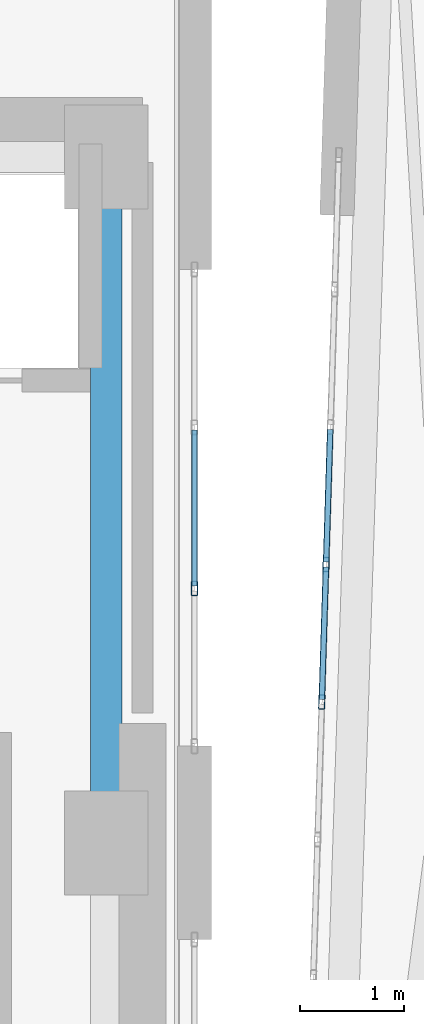
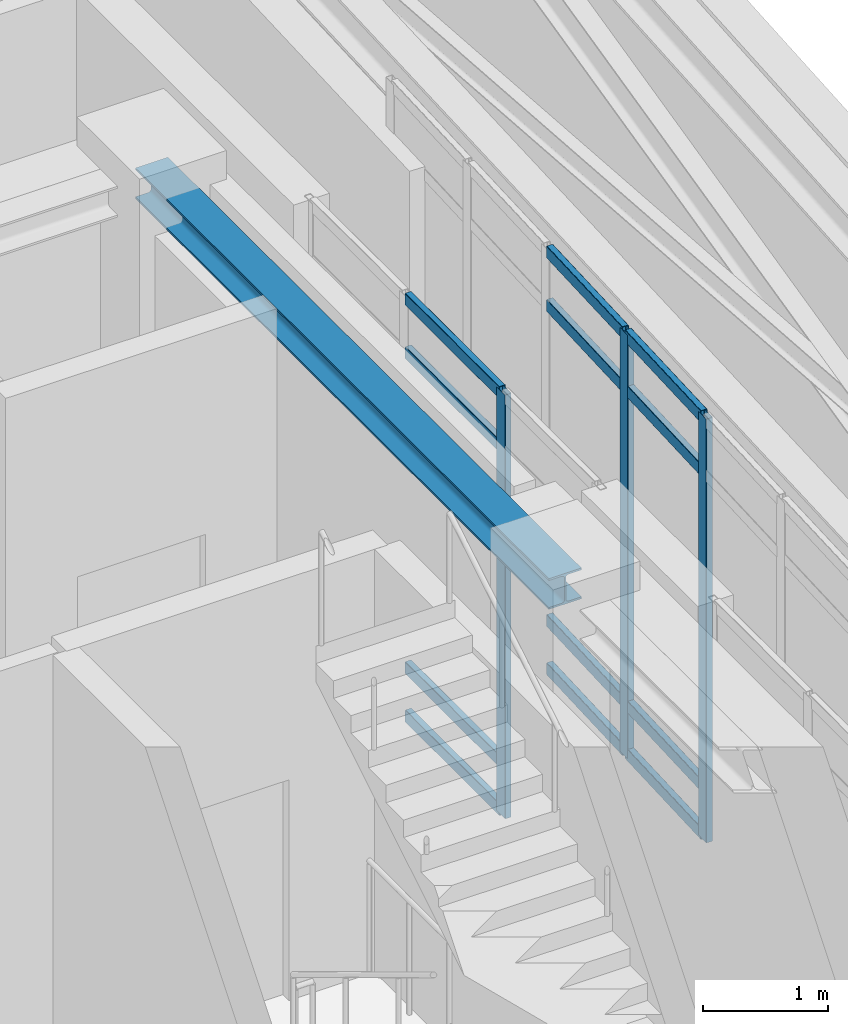
# One storey, part 9 of 19: 15 members, 1 beam, 2 elements without a shape of their own.
"""IFC4 building model written with IfcOpenShell, lengths in metres."""

from ifc_helpers import new_model, si_unit, direction, frame, origin, origin_2d, place, context, subcontext, project, spatial, hollow_rectangle, i_section, extrude, material, layer, layer_set, material_profile, profile_set, type_object, element, aggregate, save


model = new_model("IFC4")

# Units and contexts
model_context = context("Model", 3, precision=1e-05, world=origin(), true_north=direction((0.0, 1.0)))
body_context = subcontext(model_context, "Body", "Model", "MODEL_VIEW")
ifc_project = project(units=[si_unit("LENGTHUNIT", "METRE"), si_unit("AREAUNIT", "SQUARE_METRE"), si_unit("VOLUMEUNIT", "CUBIC_METRE"), si_unit("PLANEANGLEUNIT", "RADIAN"), si_unit("MASSUNIT", "GRAM", prefix="KILO")], contexts=[model_context])

# Site, building, storey
site_placement = place(None, origin())
site = spatial("IfcSite", under=ifc_project, at=site_placement, CompositionType="ELEMENT")
building_placement = place(site_placement, origin())
building = spatial("IfcBuilding", under=site, at=building_placement, Name="Ndelora Gate Hotel", CompositionType="ELEMENT")
storey_placement = place(building_placement, frame((0.0, 0.0, 299.199951171875)))
storey = spatial("IfcBuildingStorey", under=building, at=storey_placement, Name="L74", CompositionType="ELEMENT", Elevation=299.199951171875)

# Beam
ifc_material_1 = material(Name="Steel S355", Category="steel")
ifc_material_profile_1 = material_profile(ifc_material_1, i_section(OverallWidth=0.300048828125, OverallDepth=0.300048828125, WebThickness=0.010986328125, FlangeThickness=0.01904296875, FilletRadius=0.027099609375, at=origin_2d()), Name="HEB 300")
ifc_profile_set_1 = profile_set([ifc_material_profile_1], Name="Steel S355")
beam_type = type_object("IfcBeamType", Name="BM-CORE-300", PredefinedType="BEAM", material=ifc_profile_set_1)
beam_placement = place(storey_placement, frame((8.0, 0.0, 3.969970703125), z_axis=(0.0, 1.0, 0.0), x_axis=(-1.0, 0.0, 0.0)))
element("IfcBeam", 1, at=beam_placement, inside=storey, type_object=beam_type, Name="L74 Core Tie Girder CC4-CC5", PredefinedType="BEAM", context=body_context, shape_type="SweptSolid", body=[
    extrude(i_section(OverallWidth=0.300048828125, OverallDepth=0.300048828125, WebThickness=0.010986328125, FlangeThickness=0.01904296875, FilletRadius=0.027099609375, at=origin_2d()), origin(), (0.0, 0.0, 1.0), 6.60009765625),
])

# Curtain wall, member
ifc_material_2 = material(Name="Bronze Anodised Unitised Aluminium and Low-E Glass", Category="aluminium")
ifc_layer = layer(ifc_material_2, 0.199951171875)
ifc_layer_set = layer_set([ifc_layer], Name="Bronze Anodised Unitised Aluminium and Low-E Glass")
curtain_wall_type = type_object("IfcCurtainWallType", Name="CW-SYS-8", PredefinedType="NOTDEFINED", material=ifc_layer_set)
curtain_wall_1_placement = place(storey_placement, origin())
curtain_wall_1 = element("IfcCurtainWall", 2, at=curtain_wall_1_placement, inside=storey, type_object=curtain_wall_type, Name="L74 Split-Crown West Cleft Lantern Curtain Wall CW8-2", PredefinedType="NOTDEFINED")
ifc_material_3 = material(Name="Bronze Anodised Aluminium 6063-T6", Category="aluminium")
ifc_material_profile_2 = material_profile(ifc_material_3, hollow_rectangle(XDim=0.06005859375, YDim=0.139892578125, WallThickness=0.00390625, InnerFilletRadius=0.00390625, OuterFilletRadius=0.008056640625, at=origin_2d()), Name="ALU 140x60x4")
ifc_profile_set_2 = profile_set([ifc_material_profile_2], Name="Bronze Anodised Aluminium 6063-T6")
member_type_1 = type_object("IfcMemberType", Name="MB-CW-MUL140", PredefinedType="MULLION", material=ifc_profile_set_2)
member_1_placement = place(storey_placement, frame((8.85009765625, 2.449951171875, -0.00390625), z_axis=(0.0, 0.0, 1.0), x_axis=(-1.0, 0.0, 0.0)))
member_1 = element("IfcMember", 3, at=member_1_placement, type_object=member_type_1, Name="CW8 mullion 2", PredefinedType="MULLION", context=body_context, shape_type="SweptSolid", body=[
    extrude(hollow_rectangle(XDim=0.06005859375, YDim=0.139892578125, WallThickness=0.00390625, InnerFilletRadius=0.00390625, OuterFilletRadius=0.008056640625, at=origin_2d()), origin(), (0.0, 0.0, 1.0), 4.1279296875),
])

# Curtain wall, members
curtain_wall_2_placement = place(storey_placement, origin())
curtain_wall_2 = element("IfcCurtainWall", 4, at=curtain_wall_2_placement, inside=storey, type_object=curtain_wall_type, Name="L74 Split-Crown East Cleft Lantern Curtain Wall CW8", PredefinedType="NOTDEFINED")
member_2_placement = place(storey_placement, frame((10.115966796875, 2.68017578125, -0.00390625), z_axis=(0.0, 0.0, 1.0), x_axis=(0.999515302198, -0.031131345484, 0.0)))
member_2 = element("IfcMember", 5, at=member_2_placement, type_object=member_type_1, Name="CW8 mullion 4", PredefinedType="MULLION", context=body_context, shape_type="SweptSolid", body=[
    extrude(hollow_rectangle(XDim=0.06005859375, YDim=0.139892578125, WallThickness=0.00390625, InnerFilletRadius=0.00390625, OuterFilletRadius=0.008056640625, at=origin_2d()), origin(), (0.0, 0.0, 1.0), 4.1279296875),
])
member_3_placement = place(storey_placement, frame((10.074951171875, 1.356201171875, -0.00390625), z_axis=(0.0, 0.0, 1.0), x_axis=(0.999515302198, -0.031131345484, 0.0)))
member_3 = element("IfcMember", 6, at=member_3_placement, type_object=member_type_1, Name="CW8 mullion 5", PredefinedType="MULLION", context=body_context, shape_type="SweptSolid", body=[
    extrude(hollow_rectangle(XDim=0.06005859375, YDim=0.139892578125, WallThickness=0.00390625, InnerFilletRadius=0.00390625, OuterFilletRadius=0.008056640625, at=origin_2d()), origin(), (0.0, 0.0, 1.0), 4.1279296875),
])

# Member
ifc_material_profile_3 = material_profile(ifc_material_3, hollow_rectangle(XDim=0.06005859375, YDim=0.1201171875, WallThickness=0.00390625, InnerFilletRadius=0.00390625, OuterFilletRadius=0.008056640625, at=origin_2d()), Name="ALU 120x60x4")
ifc_profile_set_3 = profile_set([ifc_material_profile_3], Name="Bronze Anodised Aluminium 6063-T6")
member_type_2 = type_object("IfcMemberType", Name="MB-CW-TRN120", PredefinedType="USERDEFINED", material=ifc_profile_set_3)
member_4_placement = place(storey_placement, frame((8.85009765625, 2.47412109375, 0.030029296875), z_axis=(0.0, 1.0, 0.0), x_axis=(-1.0, 0.0, 0.0)))
member_4 = element("IfcMember", 7, at=member_4_placement, type_object=member_type_2, Name="CW8 transom 2.1", ObjectType="TRANSOM", PredefinedType="USERDEFINED", context=body_context, shape_type="SweptSolid", body=[
    extrude(hollow_rectangle(XDim=0.06005859375, YDim=0.1201171875, WallThickness=0.00390625, InnerFilletRadius=0.00390625, OuterFilletRadius=0.008056640625, at=origin_2d()), origin(), (0.0, 0.0, 1.0), 1.501953125),
])

member_5_placement = place(storey_placement, frame((8.85009765625, 2.47412109375, 0.5), z_axis=(0.0, 1.0, 0.0), x_axis=(-1.0, 0.0, 0.0)))
member_5 = element("IfcMember", 8, at=member_5_placement, type_object=member_type_2, Name="CW8 transom 2.2", ObjectType="TRANSOM", PredefinedType="USERDEFINED", context=body_context, shape_type="SweptSolid", body=[
    extrude(hollow_rectangle(XDim=0.06005859375, YDim=0.1201171875, WallThickness=0.00390625, InnerFilletRadius=0.00390625, OuterFilletRadius=0.008056640625, at=origin_2d()), origin(), (0.0, 0.0, 1.0), 1.501953125),
])

member_6_placement = place(storey_placement, frame((8.85009765625, 2.47412109375, 3.570068359375), z_axis=(0.0, 1.0, 0.0), x_axis=(-1.0, 0.0, 0.0)))
member_6 = element("IfcMember", 9, at=member_6_placement, type_object=member_type_2, Name="CW8 transom 2.3", ObjectType="TRANSOM", PredefinedType="USERDEFINED", context=body_context, shape_type="SweptSolid", body=[
    extrude(hollow_rectangle(XDim=0.06005859375, YDim=0.1201171875, WallThickness=0.00390625, InnerFilletRadius=0.00390625, OuterFilletRadius=0.008056640625, at=origin_2d()), origin(), (0.0, 0.0, 1.0), 1.501953125),
])

member_7_placement = place(storey_placement, frame((8.85009765625, 2.47412109375, 4.090087890625), z_axis=(0.0, 1.0, 0.0), x_axis=(-1.0, 0.0, 0.0)))
member_7 = element("IfcMember", 10, at=member_7_placement, type_object=member_type_2, Name="CW8 transom 2.4", ObjectType="TRANSOM", PredefinedType="USERDEFINED", context=body_context, shape_type="SweptSolid", body=[
    extrude(hollow_rectangle(XDim=0.06005859375, YDim=0.1201171875, WallThickness=0.00390625, InnerFilletRadius=0.00390625, OuterFilletRadius=0.008056640625, at=origin_2d()), origin(), (0.0, 0.0, 1.0), 1.501953125),
])

aggregate(curtain_wall_1, [member_1, member_4, member_5, member_6, member_7])

member_8_placement = place(storey_placement, frame((10.156494140625, 3.980224609375, 0.030029296875), z_axis=(-0.030983968775, -0.999519881583, 0.0), x_axis=(0.999519881583, -0.030983968775, 0.0)))
member_8 = element("IfcMember", 11, at=member_8_placement, type_object=member_type_2, Name="CW8 transom 3.1", ObjectType="TRANSOM", PredefinedType="USERDEFINED", context=body_context, shape_type="SweptSolid", body=[
    extrude(hollow_rectangle(XDim=0.06005859375, YDim=0.1201171875, WallThickness=0.00390625, InnerFilletRadius=0.00390625, OuterFilletRadius=0.008056640625, at=origin_2d()), origin(), (0.0, 0.0, 1.0), 1.276611328125),
])

member_9_placement = place(storey_placement, frame((10.156494140625, 3.980224609375, 0.5), z_axis=(-0.030983968775, -0.999519881583, 0.0), x_axis=(0.999519881583, -0.030983968775, 0.0)))
member_9 = element("IfcMember", 12, at=member_9_placement, type_object=member_type_2, Name="CW8 transom 3.2", ObjectType="TRANSOM", PredefinedType="USERDEFINED", context=body_context, shape_type="SweptSolid", body=[
    extrude(hollow_rectangle(XDim=0.06005859375, YDim=0.1201171875, WallThickness=0.00390625, InnerFilletRadius=0.00390625, OuterFilletRadius=0.008056640625, at=origin_2d()), origin(), (0.0, 0.0, 1.0), 1.276611328125),
])

member_10_placement = place(storey_placement, frame((10.156494140625, 3.980224609375, 3.570068359375), z_axis=(-0.030983968775, -0.999519881583, 0.0), x_axis=(0.999519881583, -0.030983968775, 0.0)))
member_10 = element("IfcMember", 13, at=member_10_placement, type_object=member_type_2, Name="CW8 transom 3.3", ObjectType="TRANSOM", PredefinedType="USERDEFINED", context=body_context, shape_type="SweptSolid", body=[
    extrude(hollow_rectangle(XDim=0.06005859375, YDim=0.1201171875, WallThickness=0.00390625, InnerFilletRadius=0.00390625, OuterFilletRadius=0.008056640625, at=origin_2d()), origin(), (0.0, 0.0, 1.0), 1.276611328125),
])

member_11_placement = place(storey_placement, frame((10.156494140625, 3.980224609375, 4.090087890625), z_axis=(-0.030983968775, -0.999519881583, 0.0), x_axis=(0.999519881583, -0.030983968775, 0.0)))
member_11 = element("IfcMember", 14, at=member_11_placement, type_object=member_type_2, Name="CW8 transom 3.4", ObjectType="TRANSOM", PredefinedType="USERDEFINED", context=body_context, shape_type="SweptSolid", body=[
    extrude(hollow_rectangle(XDim=0.06005859375, YDim=0.1201171875, WallThickness=0.00390625, InnerFilletRadius=0.00390625, OuterFilletRadius=0.008056640625, at=origin_2d()), origin(), (0.0, 0.0, 1.0), 1.276611328125),
])

member_12_placement = place(storey_placement, frame((10.115234375, 2.65625, 0.030029296875), z_axis=(-0.030978046786, -0.99952006514, 0.0), x_axis=(0.99952006514, -0.030978046786, 0.0)))
member_12 = element("IfcMember", 15, at=member_12_placement, type_object=member_type_2, Name="CW8 transom 4.1", ObjectType="TRANSOM", PredefinedType="USERDEFINED", context=body_context, shape_type="SweptSolid", body=[
    extrude(hollow_rectangle(XDim=0.06005859375, YDim=0.1201171875, WallThickness=0.00390625, InnerFilletRadius=0.00390625, OuterFilletRadius=0.008056640625, at=origin_2d()), origin(), (0.0, 0.0, 1.0), 1.27685546875),
])

member_13_placement = place(storey_placement, frame((10.115234375, 2.65625, 0.5), z_axis=(-0.030978046786, -0.99952006514, 0.0), x_axis=(0.99952006514, -0.030978046786, 0.0)))
member_13 = element("IfcMember", 16, at=member_13_placement, type_object=member_type_2, Name="CW8 transom 4.2", ObjectType="TRANSOM", PredefinedType="USERDEFINED", context=body_context, shape_type="SweptSolid", body=[
    extrude(hollow_rectangle(XDim=0.06005859375, YDim=0.1201171875, WallThickness=0.00390625, InnerFilletRadius=0.00390625, OuterFilletRadius=0.008056640625, at=origin_2d()), origin(), (0.0, 0.0, 1.0), 1.27685546875),
])

member_14_placement = place(storey_placement, frame((10.115234375, 2.65625, 3.570068359375), z_axis=(-0.030978046786, -0.99952006514, 0.0), x_axis=(0.99952006514, -0.030978046786, 0.0)))
member_14 = element("IfcMember", 17, at=member_14_placement, type_object=member_type_2, Name="CW8 transom 4.3", ObjectType="TRANSOM", PredefinedType="USERDEFINED", context=body_context, shape_type="SweptSolid", body=[
    extrude(hollow_rectangle(XDim=0.06005859375, YDim=0.1201171875, WallThickness=0.00390625, InnerFilletRadius=0.00390625, OuterFilletRadius=0.008056640625, at=origin_2d()), origin(), (0.0, 0.0, 1.0), 1.27685546875),
])

member_15_placement = place(storey_placement, frame((10.115234375, 2.65625, 4.090087890625), z_axis=(-0.030978046786, -0.99952006514, 0.0), x_axis=(0.99952006514, -0.030978046786, 0.0)))
member_15 = element("IfcMember", 18, at=member_15_placement, type_object=member_type_2, Name="CW8 transom 4.4", ObjectType="TRANSOM", PredefinedType="USERDEFINED", context=body_context, shape_type="SweptSolid", body=[
    extrude(hollow_rectangle(XDim=0.06005859375, YDim=0.1201171875, WallThickness=0.00390625, InnerFilletRadius=0.00390625, OuterFilletRadius=0.008056640625, at=origin_2d()), origin(), (0.0, 0.0, 1.0), 1.27685546875),
])

aggregate(curtain_wall_2, [member_2, member_3, member_8, member_9, member_10, member_11, member_12, member_13, member_14, member_15])

save(model, "model.ifc")
